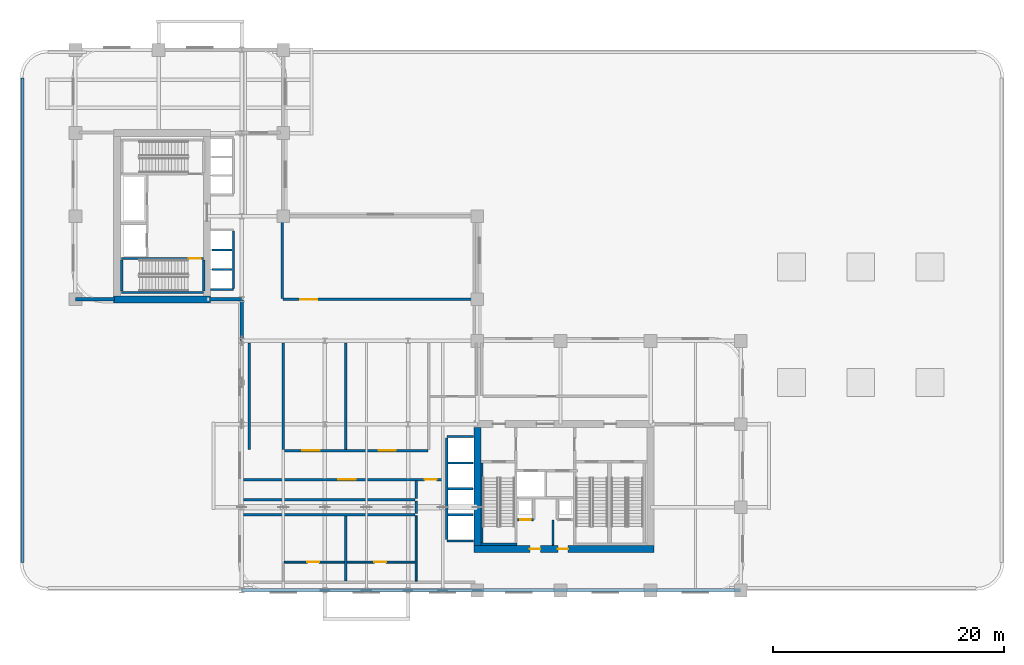
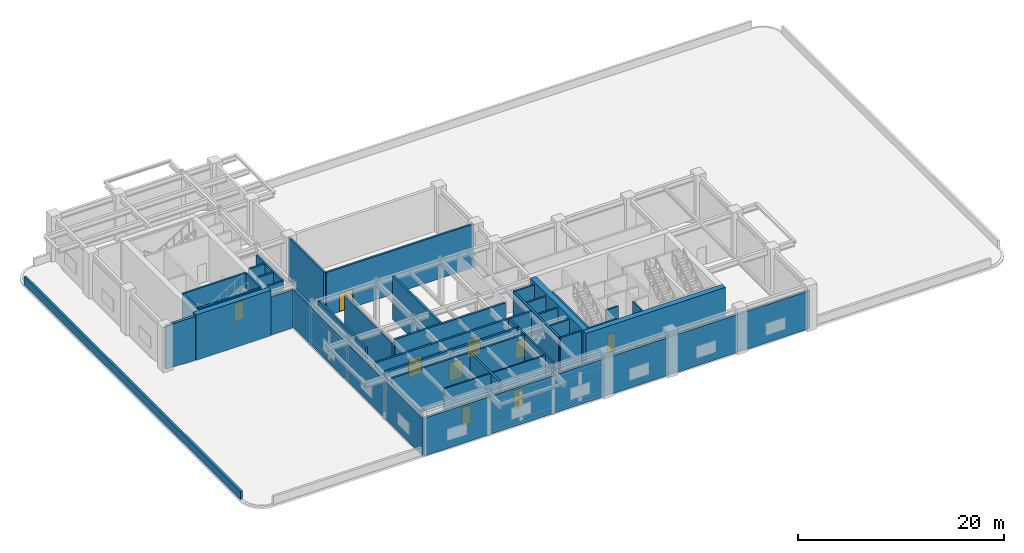
# One storey, part 6 of 14: 40 walls, 11 doors, 11 openings.
"""IFC4 building model written with IfcOpenShell, lengths in metres."""

import ifcopenshell
import ifcopenshell.guid

model = None  # the IFC model being written
_history = None  # IfcOwnerHistory: only IFC2X3 demands one
_inside = {}  # id of a spatial element -> (the spatial element, [elements in it])
_under = {}  # id of a project, library or spatial element -> (it, [spatial elements below it])
_declared = {}  # id of a project -> (the project, [libraries it declares])
_typed = {}  # id of a type object -> (the type object, [elements of that type])
_made_of = {}  # id of a material, layer set ... -> (it, [elements and type objects made of it])


def new_model(schema):
    """Start an empty IFC model of exactly this schema.

    Asked for "IFC4X3", IfcOpenShell would pick the latest addendum, in which some entities
    have other attributes; the version numbers below select the first issue.
    IFC2X3 requires an IfcOwnerHistory on every rooted entity: one is made here for all.
    """
    global model, _history
    if schema == "IFC4X3":
        model = ifcopenshell.file(schema_version=(4, 3, 0, 0))
    else:
        model = ifcopenshell.file(schema=schema)
    _inside.clear()
    _under.clear()
    _declared.clear()
    _typed.clear()
    _made_of.clear()
    _history = None
    if model.schema == "IFC2X3":
        org = make("IfcOrganization", Name="unknown")
        user = make(
            "IfcPersonAndOrganization",
            ThePerson=make("IfcPerson", FamilyName="unknown"),
            TheOrganization=org,
        )
        app = make(
            "IfcApplication",
            ApplicationDeveloper=org,
            Version="unknown",
            ApplicationFullName="unknown",
            ApplicationIdentifier="unknown",
        )
        _history = make(
            "IfcOwnerHistory",
            OwningUser=user,
            OwningApplication=app,
            ChangeAction="ADDED",
            CreationDate=0,
        )
    return model


def make(cls, **values):
    """One entity of the class cls with the attributes given. An attribute that is None is left unset."""
    return model.create_entity(
        cls, **{name: value for name, value in values.items() if value is not None}
    )


def rooted(cls, **values):
    """An entity with a GlobalId (a new one), such as an element, a storey or a relation."""
    return make(cls, GlobalId=ifcopenshell.guid.new(), OwnerHistory=_history, **values)


def si_unit(unit_type, name, prefix=None):
    """IfcSIUnit, for example si_unit("LENGTHUNIT", "METRE", prefix="MILLI")."""
    return make("IfcSIUnit", UnitType=unit_type, Prefix=prefix, Name=name)


def derived_unit(unit_type, elements):
    """IfcDerivedUnit: a product of units, each with its exponent."""
    return make(
        "IfcDerivedUnit",
        Elements=[
            make("IfcDerivedUnitElement", Unit=unit, Exponent=power)
            for unit, power in elements
        ],
        UnitType=unit_type,
    )


def assignment(units):
    """IfcUnitAssignment: the units of a project."""
    return None if units is None else make("IfcUnitAssignment", Units=units)


def point(xyz):
    """IfcCartesianPoint."""
    return None if xyz is None else make("IfcCartesianPoint", Coordinates=xyz)


def direction(xyz):
    """IfcDirection."""
    return None if xyz is None else make("IfcDirection", DirectionRatios=xyz)


def frame(location, z_axis=None, x_axis=None):
    """IfcAxis2Placement3D, a coordinate frame: its origin and axes. An axis left out is left unset."""
    return make(
        "IfcAxis2Placement3D",
        Location=point(location),
        Axis=direction(z_axis),
        RefDirection=direction(x_axis),
    )


def frame_2d(location, x_axis=None):
    """IfcAxis2Placement2D, a coordinate frame in the plane: its origin and x axis."""
    return make(
        "IfcAxis2Placement2D", Location=point(location), RefDirection=direction(x_axis)
    )


def origin():
    """The frame at (0, 0, 0) with its axes left unset."""
    return frame((0.0, 0.0, 0.0))


def place(relative_to, where):
    """IfcLocalPlacement: puts the frame where relative to a parent placement (None: the world)."""
    return make(
        "IfcLocalPlacement", PlacementRelTo=relative_to, RelativePlacement=where
    )


def context(
    kind, dimensions, precision=None, world=None, true_north=None, identifier=None
):
    """IfcGeometricRepresentationContext, for example the 3D "Model" context."""
    return make(
        "IfcGeometricRepresentationContext",
        ContextIdentifier=identifier,
        ContextType=kind,
        CoordinateSpaceDimension=dimensions,
        Precision=precision,
        WorldCoordinateSystem=world,
        TrueNorth=true_north,
    )


def subcontext(parent, identifier, kind, view, scale=None):
    """IfcGeometricRepresentationSubContext, for example "Body" below "Model"."""
    return make(
        "IfcGeometricRepresentationSubContext",
        ContextIdentifier=identifier,
        ContextType=kind,
        ParentContext=parent,
        TargetScale=scale,
        TargetView=view,
    )


def project(units=None, contexts=None):
    """IfcProject with its units and contexts."""
    return rooted(
        "IfcProject",
        Name="project",
        RepresentationContexts=contexts,
        UnitsInContext=assignment(units),
    )


def spatial(cls, under=None, at=None, **own):
    """A site, building, storey or space (cls), placed at a placement, below another one or the project."""
    s = rooted(cls, ObjectPlacement=at, **own)
    if under is not None:
        _under.setdefault(under.id(), (under, []))[1].append(s)
    return s


def profile(cls, at=None, kind="AREA", **sizes):
    """A parametric profile (cls). Its sizes go by their IFC names, for example OverallWidth=200.0."""
    return make(cls, ProfileType=kind, Position=at, **sizes)


def rectangle(**sizes):
    """IfcRectangleProfileDef."""
    return profile("IfcRectangleProfileDef", **sizes)


def extrude(swept, where, along, depth):
    """IfcExtrudedAreaSolid: the profile swept, set in the frame where, extruded along a direction by depth."""
    return make(
        "IfcExtrudedAreaSolid",
        SweptArea=swept,
        Position=where,
        ExtrudedDirection=direction(along),
        Depth=depth,
    )


def shape(context_of_items, identifier, shape_type, items):
    """IfcShapeRepresentation: the items that make up one representation, for example the "Body"."""
    return make(
        "IfcShapeRepresentation",
        ContextOfItems=context_of_items,
        RepresentationIdentifier=identifier,
        RepresentationType=shape_type,
        Items=items,
    )


def source(mapping_origin, context_of_items, identifier, shape_type, items):
    """IfcRepresentationMap: a shape defined once, which mapped items show again and again."""
    return make(
        "IfcRepresentationMap",
        MappingOrigin=mapping_origin,
        MappedRepresentation=shape(context_of_items, identifier, shape_type, items),
    )


def transform(
    local_origin,
    x_axis=None,
    y_axis=None,
    z_axis=None,
    scale=None,
    scale2=None,
    scale3=None,
    uniform=True,
):
    """IfcCartesianTransformationOperator3D, or its non-uniform kind. x_axis, y_axis, z_axis: its Axis1, 2, 3."""
    if uniform:
        return make(
            "IfcCartesianTransformationOperator3D",
            Axis1=direction(x_axis),
            Axis2=direction(y_axis),
            LocalOrigin=point(local_origin),
            Scale=scale,
            Axis3=direction(z_axis),
        )
    return make(
        "IfcCartesianTransformationOperator3DnonUniform",
        Axis1=direction(x_axis),
        Axis2=direction(y_axis),
        LocalOrigin=point(local_origin),
        Scale=scale,
        Axis3=direction(z_axis),
        Scale2=scale2,
        Scale3=scale3,
    )


def mapped(mapping_source, mapping_target):
    """IfcMappedItem: shows the shape of a source again, moved by a transform."""
    return make(
        "IfcMappedItem", MappingSource=mapping_source, MappingTarget=mapping_target
    )


def material(Name=None, Category=None):
    """IfcMaterial."""
    return make("IfcMaterial", Name=Name, Category=Category)


def layer(
    of_material, thickness, ventilated=None, Name=None, Category=None, Priority=None
):
    """IfcMaterialLayer: one layer of a wall or slab, of a material (None: an air gap)."""
    return make(
        "IfcMaterialLayer",
        Material=of_material,
        LayerThickness=thickness,
        IsVentilated=ventilated,
        Name=Name,
        Category=Category,
        Priority=Priority,
    )


def layer_set(layers, Name=None):
    """IfcMaterialLayerSet."""
    return make("IfcMaterialLayerSet", MaterialLayers=layers, LayerSetName=Name)


def made_of(thing, what):
    """Note that an element or type object is made of a material, layer set ...; save() writes the relation."""
    if what is not None:
        _made_of.setdefault(what.id(), (what, []))[1].append(thing)
    return thing


def type_object(cls, material=None, **own):
    """A type object (cls), such as IfcWallType, which elements share."""
    return made_of(rooted(cls, **own), material)


def type_shapes(of_type, sources):
    """Give a type object the sources (RepresentationMaps) that its elements show as mapped items."""
    of_type.RepresentationMaps = sources


def element(
    cls,
    number,
    at=None,
    inside=None,
    cuts=None,
    type_object=None,
    material=None,
    context=None,
    identifier="Body",
    shape_type=None,
    held_by="IfcProductDefinitionShape",
    body=None,
    shapes=None,
    **own,
):
    """One element of the class cls, such as IfcWall. Its Tag is "e" and its number.

    at: its placement. inside: the storey or other place that contains it. cuts: it is an
    opening in that element (IfcRelVoidsElement). A single representation is given by context,
    identifier, shape_type and body (its items); several are given by shapes. held_by: the class
    of the entity that holds the representations. save() writes the other relations.
    """
    e = rooted(cls, Tag="e%d" % number, ObjectPlacement=at, **own)
    if body is not None:
        shapes = [shape(context, identifier, shape_type, body)]
    if shapes is not None:
        e.Representation = make(held_by, Representations=shapes)
    if inside is not None:
        _inside.setdefault(inside.id(), (inside, []))[1].append(e)
    if cuts is not None:
        rooted(
            "IfcRelVoidsElement", RelatingBuildingElement=cuts, RelatedOpeningElement=e
        )
    if type_object is not None:
        _typed.setdefault(type_object.id(), (type_object, []))[1].append(e)
    return made_of(e, material)


def fill(opening, filler):
    """IfcRelFillsElement: the door or window that sits in an opening."""
    return rooted(
        "IfcRelFillsElement",
        RelatingOpeningElement=opening,
        RelatedBuildingElement=filler,
    )


def aggregate(whole, parts):
    """IfcRelAggregates: a whole, such as a stair, and the parts it consists of."""
    return rooted("IfcRelAggregates", RelatingObject=whole, RelatedObjects=parts)


def save(model, path):
    """Write the relations noted so far, then the file.

    IfcRelAggregates (storeys below a building ...), IfcRelContainedInSpatialStructure (elements
    in a storey), IfcRelDefinesByType, IfcRelAssociatesMaterial and IfcRelDeclares: one each for
    every whole, place, type object, material and project.
    """
    for whole, parts in _under.values():
        aggregate(whole, parts)
    for where, things in _inside.values():
        rooted(
            "IfcRelContainedInSpatialStructure",
            RelatedElements=things,
            RelatingStructure=where,
        )
    for kind, things in _typed.values():
        rooted("IfcRelDefinesByType", RelatedObjects=things, RelatingType=kind)
    for what, things in _made_of.values():
        rooted("IfcRelAssociatesMaterial", RelatedObjects=things, RelatingMaterial=what)
    for by, libraries in _declared.values():
        rooted("IfcRelDeclares", RelatingContext=by, RelatedDefinitions=libraries)
    model.write(path)


model = new_model("IFC4")

# Units and contexts
model_context = context("Model", 3, precision=1e-05, world=origin(), true_north=direction((0.0, 1.0)))
body_context = subcontext(model_context, "Body", "Model", "MODEL_VIEW")
ifc_project = project(units=[si_unit("LENGTHUNIT", "METRE"), si_unit("AREAUNIT", "SQUARE_METRE"), si_unit("VOLUMEUNIT", "CUBIC_METRE"), si_unit("PLANEANGLEUNIT", "RADIAN"), si_unit("MASSUNIT", "GRAM", prefix="KILO"), si_unit("THERMODYNAMICTEMPERATUREUNIT", "KELVIN"), si_unit("POWERUNIT", "WATT"), derived_unit("THERMALTRANSMITTANCEUNIT", [(si_unit("POWERUNIT", "WATT"), 1), (si_unit("AREAUNIT", "SQUARE_METRE"), -1), (si_unit("THERMODYNAMICTEMPERATUREUNIT", "KELVIN"), -1)])], contexts=[model_context])

# Site, building, storey
site_placement = place(None, origin())
site = spatial("IfcSite", under=ifc_project, at=site_placement, CompositionType="ELEMENT")
building_placement = place(site_placement, origin())
building = spatial("IfcBuilding", under=site, at=building_placement, Name="Zahravan Archway Hotel and Residences", CompositionType="ELEMENT")
storey_placement = place(building_placement, frame((0.0, 0.0, 27.0)))
storey = spatial("IfcBuildingStorey", under=building, at=storey_placement, Name="L05", CompositionType="ELEMENT", Elevation=27.0)

# Wall, openings, doors
ifc_material_1 = material(Name="Concrete C70/85", Category="concrete")
ifc_layer_1 = layer(ifc_material_1, 0.60009765625, Name="Concrete C70/85", Category="concrete")
ifc_layer_set_1 = layer_set([ifc_layer_1], Name="Concrete C70/85")
wall_type_1 = type_object("IfcWallType", Name="CW-CORE-600", PredefinedType="SHEAR", material=ifc_layer_set_1)
wall_1_placement = place(storey_placement, frame((34.5, 3.60009765625, 0.0), z_axis=(0.0, 0.0, 1.0), x_axis=(1.0, 0.0, 0.0)))
wall_1 = element("IfcWall", 1, at=wall_1_placement, inside=storey, type_object=wall_type_1, Name="L05 Core A Shear S Wall 600 mm", PredefinedType="SHEAR", context=body_context, shape_type="SweptSolid", body=[
    extrude(rectangle(XDim=15.60009765625, YDim=0.60009765625, at=frame_2d((7.800048828125, 0.0))), origin(), (0.0, 0.0, 1.0), 5.39990234375),
])
opening_1_placement = place(wall_1_placement, frame((4.85009765625, 0.0, 0.0)))
opening_1 = element("IfcOpeningElement", 2, at=opening_1_placement, cuts=wall_1, Name="Opening FD-R1", PredefinedType="OPENING", context=body_context, shape_type="SweptSolid", body=[
    extrude(rectangle(XDim=0.89990234375, YDim=2.10009765625, at=frame_2d((0.449951171875, 1.050048828125))), frame((0.0, 0.31005859375, 0.0), z_axis=(0.0, -1.0, 0.0), x_axis=(1.0, 0.0, 0.0)), (0.0, 0.0, 1.0), 0.6201171875),
])
opening_2_placement = place(wall_1_placement, frame((7.27001953125, 0.0, 0.0)))
opening_2 = element("IfcOpeningElement", 3, at=opening_2_placement, cuts=wall_1, Name="Opening FD-R1", PredefinedType="OPENING", context=body_context, shape_type="SweptSolid", body=[
    extrude(rectangle(XDim=0.89990234375, YDim=2.10009765625, at=frame_2d((0.449951171875, 1.050048828125))), frame((0.0, 0.31005859375, 0.0), z_axis=(0.0, -1.0, 0.0), x_axis=(1.0, 0.0, 0.0)), (0.0, 0.0, 1.0), 0.6201171875),
])
ifc_material_2 = material(Name="Fire-Rated Painted Steel", Category="steel")
door_type_1 = type_object("IfcDoorType", Name="FD-RISER-900", OperationType="NOTDEFINED", PredefinedType="DOOR", material=ifc_material_2)
shared_shape_1 = source(origin(), body_context, "Body", "SweptSolid", [
    extrude(rectangle(XDim=0.89990234375, YDim=2.10009765625, at=frame_2d((0.449951171875, 1.050048828125))), frame((0.0, 0.02490234375, 0.0), z_axis=(0.0, -1.0, 0.0), x_axis=(1.0, 0.0, 0.0)), (0.0, 0.0, 1.0), 0.050048828125),
])
type_shapes(door_type_1, [shared_shape_1])
door_1_placement = place(opening_1_placement, origin())
door_1 = element("IfcDoor", 4, at=door_1_placement, inside=storey, type_object=door_type_1, Name="L05 Service Pantry Door", OperationType="SINGLE_SWING_RIGHT", OverallHeight=2.10009765625, OverallWidth=0.89990234375, PredefinedType="DOOR", context=body_context, shape_type="MappedRepresentation", body=[
    mapped(shared_shape_1, transform((0.0, 0.0, 0.0), scale=1.0)),
])
fill(opening_1, door_1)
door_2_placement = place(opening_2_placement, origin())
door_2 = element("IfcDoor", 5, at=door_2_placement, inside=storey, type_object=door_type_1, Name="L05 Fibre ELV Riser Door", OperationType="SINGLE_SWING_LEFT", OverallHeight=2.10009765625, OverallWidth=0.89990234375, PredefinedType="DOOR", context=body_context, shape_type="MappedRepresentation", body=[
    mapped(shared_shape_1, transform((0.0, 0.0, 0.0), scale=1.0)),
])
fill(opening_2, door_2)

# Walls
wall_2_placement = place(storey_placement, frame((34.800048828125, 3.89990234375, 0.0), z_axis=(0.0, 0.0, 1.0), x_axis=(0.0, 1.0, 0.0)))
element("IfcWall", 6, at=wall_2_placement, inside=storey, type_object=wall_type_1, Name="L05 Core A Shear W Wall 600 mm", PredefinedType="SHEAR", context=body_context, shape_type="SweptSolid", body=[
    extrude(rectangle(XDim=10.2001953125, YDim=0.60009765625, at=frame_2d((5.10009765625, 0.0))), origin(), (0.0, 0.0, 1.0), 5.39990234375),
])
wall_3_placement = place(storey_placement, frame((3.300048828125, 25.199951171875, 0.0), z_axis=(0.0, 0.0, 1.0), x_axis=(1.0, 0.0, 0.0)))
element("IfcWall", 7, at=wall_3_placement, inside=storey, type_object=wall_type_1, Name="L05 Core B Shear S Wall 600 mm", PredefinedType="SHEAR", context=body_context, shape_type="SweptSolid", body=[
    extrude(rectangle(XDim=8.39990234375, YDim=0.60009765625, at=frame_2d((4.199951171875, 0.0))), origin(), (0.0, 0.0, 1.0), 5.39990234375),
])
ifc_material_3 = material(Name="Agra Buff Sandstone Coping Wall", Category="masonry")
ifc_layer_2 = layer(ifc_material_3, 0.25, Name="Agra Buff Sandstone Coping Wall", Category="masonry")
ifc_layer_set_2 = layer_set([ifc_layer_2], Name="Agra Buff Sandstone Coping Wall")
wall_type_2 = type_object("IfcWallType", Name="EW-PARA-250", PredefinedType="PARAPET", material=ifc_layer_set_2)
wall_4_placement = place(storey_placement, frame((-4.60009765625, 2.4130859375, 0.0), z_axis=(0.0, 0.0, 1.0), x_axis=(0.0, 1.0, 0.0)))
element("IfcWall", 8, at=wall_4_placement, inside=storey, type_object=wall_type_2, Name="L05 Roof Coping Parapet 1", PredefinedType="PARAPET", context=body_context, shape_type="SweptSolid", body=[
    extrude(rectangle(XDim=41.973876953125, YDim=0.25, at=frame_2d((20.98681640625, 0.0))), origin(), (0.0, 0.0, 1.0), 0.949951171875),
])
ifc_material_4 = material(Name="Acoustic Louvred Sandstone Backup Wall", Category="masonry")
ifc_layer_3 = layer(ifc_material_4, 0.300048828125, Name="Acoustic Louvred Sandstone Backup Wall", Category="masonry")
ifc_layer_set_3 = layer_set([ifc_layer_3], Name="Acoustic Louvred Sandstone Backup Wall")
wall_type_3 = type_object("IfcWallType", Name="EW-REF-300", PredefinedType="SOLIDWALL", material=ifc_layer_set_3)
wall_5_placement = place(storey_placement, frame((14.39990234375, 0.0, 0.0), z_axis=(0.0, 0.0, 1.0), x_axis=(1.0, 0.0, 0.0)))
element("IfcWall", 9, at=wall_5_placement, inside=storey, type_object=wall_type_3, Name="L05 Exterior Sandstone Wall WA-S", PredefinedType="SOLIDWALL", context=body_context, shape_type="SweptSolid", body=[
    extrude(rectangle(XDim=43.2001953125, YDim=0.300048828125, at=frame_2d((21.60009765625, 0.0))), origin(), (0.0, 0.0, 1.0), 4.485107421875),
])
wall_6_placement = place(storey_placement, frame((14.39990234375, 0.050048828125, 0.0), z_axis=(0.0, 0.0, 1.0), x_axis=(0.0, 1.0, 0.0)))
element("IfcWall", 10, at=wall_6_placement, inside=storey, type_object=wall_type_3, Name="L05 Exterior Sandstone Wall WA-WL", PredefinedType="SOLIDWALL", context=body_context, shape_type="SweptSolid", body=[
    extrude(rectangle(XDim=25.099853515625, YDim=0.300048828125, at=frame_2d((12.5498046875, 0.0))), origin(), (0.0, 0.0, 1.0), 4.485107421875),
])
wall_7_placement = place(storey_placement, frame((11.6201171875, 25.199951171875, 0.0), z_axis=(0.0, 0.0, 1.0), x_axis=(1.0, 0.0, 0.0)))
element("IfcWall", 11, at=wall_7_placement, inside=storey, type_object=wall_type_3, Name="L05 Exterior Sandstone Wall WB-SE", PredefinedType="SOLIDWALL", context=body_context, shape_type="SweptSolid", body=[
    extrude(rectangle(XDim=2.77978515625, YDim=0.300048828125, at=frame_2d((1.389892578125, 0.0))), origin(), (0.0, 0.0, 1.0), 4.485107421875),
])
wall_8_placement = place(storey_placement, frame((0.0, 25.199951171875, 0.0), z_axis=(0.0, 0.0, 1.0), x_axis=(1.0, 0.0, 0.0)))
element("IfcWall", 12, at=wall_8_placement, inside=storey, type_object=wall_type_3, Name="L05 Exterior Sandstone Wall WB-SW", PredefinedType="SOLIDWALL", context=body_context, shape_type="SweptSolid", body=[
    extrude(rectangle(XDim=3.3798828125, YDim=0.300048828125, at=frame_2d((1.68994140625, 0.0))), origin(), (0.0, 0.0, 1.0), 5.14990234375),
])
ifc_material_5 = material(Name="Fire-Rated Gypsum & Concrete Block", Category="concrete")
ifc_layer_4 = layer(ifc_material_5, 0.219970703125, Name="Fire-Rated Gypsum & Concrete Block", Category="concrete")
ifc_layer_set_4 = layer_set([ifc_layer_4], Name="Fire-Rated Gypsum & Concrete Block")
wall_type_4 = type_object("IfcWallType", Name="PW-COMP-220", PredefinedType="PARTITIONING", material=ifc_layer_set_4)
for number, where, z_axis, x_axis, name in (
    (13, (14.55810546875, 6.550048828125, 0.0), (0.0, 0.0, 1.0), (1.0, 0.0, 0.0), "L05 Partition L05-ROTS"),
    (14, (14.55810546875, 7.85009765625, 0.0), (0.0, 0.0, 1.0), (1.0, 0.0, 0.0), "L05 Partition L05-ROTN"),
):
    element("IfcWall", number, at=place(storey_placement, frame(where, z_axis=z_axis, x_axis=x_axis)), inside=storey, type_object=wall_type_4, Name=name, PredefinedType="PARTITIONING", context=body_context, shape_type="SweptSolid", body=[
        extrude(rectangle(XDim=14.851806640625, YDim=0.219970703125, at=frame_2d((7.42578125, 0.0))), origin(), (0.0, 0.0, 1.0), 5.14990234375),
    ])
wall_9_placement = place(storey_placement, frame((29.5, 6.639892578125, 0.0), z_axis=(0.0, 0.0, 1.0), x_axis=(0.0, 1.0, 0.0)))
element("IfcWall", 15, at=wall_9_placement, inside=storey, type_object=wall_type_4, Name="L05 Partition L05-ROTE", PredefinedType="PARTITIONING", context=body_context, shape_type="SweptSolid", body=[
    extrude(rectangle(XDim=1.1201171875, YDim=0.219970703125, at=frame_2d((0.56005859375, 0.0))), origin(), (0.0, 0.0, 1.0), 5.14990234375),
])
wall_10_placement = place(storey_placement, frame((15.050048828125, 12.18994140625, 0.0), z_axis=(0.0, 0.0, 1.0), x_axis=(0.0, 1.0, 0.0)))
element("IfcWall", 16, at=wall_10_placement, inside=storey, type_object=wall_type_4, Name="L05 Partition L05-RBTW", PredefinedType="PARTITIONING", context=body_context, shape_type="SweptSolid", body=[
    extrude(rectangle(XDim=9.219970703125, YDim=0.219970703125, at=frame_2d((4.60986328125, 0.0))), origin(), (0.0, 0.0, 1.0), 5.14990234375),
])

# Wall, openings, doors
wall_11_placement = place(storey_placement, frame((14.55810546875, 9.60009765625, 0.0), z_axis=(0.0, 0.0, 1.0), x_axis=(1.0, 0.0, 0.0)))
wall_11 = element("IfcWall", 17, at=wall_11_placement, inside=storey, type_object=wall_type_4, Name="L05 Partition L05-RCS", PredefinedType="PARTITIONING", context=body_context, shape_type="SweptSolid", body=[
    extrude(rectangle(XDim=17.371826171875, YDim=0.219970703125, at=frame_2d((8.68603515625, 0.0))), origin(), (0.0, 0.0, 1.0), 5.14990234375),
])
opening_3_placement = place(wall_11_placement, frame((15.6669921875, 0.0, 0.0)))
opening_3 = element("IfcOpeningElement", 18, at=opening_3_placement, cuts=wall_11, Name="Opening FD-L2", PredefinedType="OPENING", context=body_context, shape_type="SweptSolid", body=[
    extrude(rectangle(XDim=1.050048828125, YDim=2.14990234375, at=frame_2d((0.52490234375, 1.074951171875))), frame((0.0, 0.1201171875, 0.0), z_axis=(0.0, -1.0, 0.0), x_axis=(1.0, 0.0, 0.0)), (0.0, 0.0, 1.0), 0.239990234375),
])
opening_4_placement = place(wall_11_placement, frame((8.19189453125, 0.0, 0.0)))
opening_4 = element("IfcOpeningElement", 19, at=opening_4_placement, cuts=wall_11, Name="Opening FD-L1", PredefinedType="OPENING", context=body_context, shape_type="SweptSolid", body=[
    extrude(rectangle(XDim=1.5, YDim=2.199951171875, at=frame_2d((0.75, 1.10009765625))), frame((0.0, 0.1201171875, 0.0), z_axis=(0.0, -1.0, 0.0), x_axis=(1.0, 0.0, 0.0)), (0.0, 0.0, 1.0), 0.239990234375),
])
door_type_2 = type_object("IfcDoorType", Name="FD-LOBBY-1100", OperationType="NOTDEFINED", PredefinedType="DOOR", material=ifc_material_2)
shared_shape_2 = source(origin(), body_context, "Body", "SweptSolid", [
    extrude(rectangle(XDim=1.050048828125, YDim=2.14990234375, at=frame_2d((0.52490234375, 1.074951171875))), frame((0.0, 0.02490234375, 0.0), z_axis=(0.0, -1.0, 0.0), x_axis=(1.0, 0.0, 0.0)), (0.0, 0.0, 1.0), 0.050048828125),
])
type_shapes(door_type_2, [shared_shape_2])
door_3_placement = place(opening_3_placement, origin())
door_3 = element("IfcDoor", 20, at=door_3_placement, inside=storey, type_object=door_type_2, Name="L05 South Riser Passage to Refuge Lobby Door", OperationType="SINGLE_SWING_LEFT", OverallHeight=2.14990234375, OverallWidth=1.050048828125, PredefinedType="DOOR", context=body_context, shape_type="MappedRepresentation", body=[
    mapped(shared_shape_2, transform((0.0, 0.0, 0.0), scale=1.0)),
])
fill(opening_3, door_3)
door_type_3 = type_object("IfcDoorType", Name="FD-LOBBY-1500", OperationType="DOUBLE_DOOR_SINGLE_SWING", PredefinedType="DOOR", material=ifc_material_2)
shared_shape_3 = source(origin(), body_context, "Body", "SweptSolid", [
    extrude(rectangle(XDim=1.5, YDim=2.199951171875, at=frame_2d((0.75, 1.10009765625))), frame((0.0, 0.02490234375, 0.0), z_axis=(0.0, -1.0, 0.0), x_axis=(1.0, 0.0, 0.0)), (0.0, 0.0, 1.0), 0.050048828125),
])
type_shapes(door_type_3, [shared_shape_3])
door_4_placement = place(opening_4_placement, origin())
door_4 = element("IfcDoor", 21, at=door_4_placement, inside=storey, type_object=door_type_3, Name="L05 AHU Mechanical Plant Door", OperationType="DOUBLE_DOOR_SINGLE_SWING", OverallHeight=2.199951171875, OverallWidth=1.5, PredefinedType="DOOR", context=body_context, shape_type="MappedRepresentation", body=[
    mapped(shared_shape_3, transform((0.0, 0.0, 0.0), scale=1.0)),
])
fill(opening_4, door_4)

wall_12_placement = place(storey_placement, frame((18.090087890625, 12.10009765625, 0.0), z_axis=(0.0, 0.0, 1.0), x_axis=(1.0, 0.0, 0.0)))
wall_12 = element("IfcWall", 22, at=wall_12_placement, inside=storey, type_object=wall_type_4, Name="L05 Partition L05-RCN", PredefinedType="PARTITIONING", context=body_context, shape_type="SweptSolid", body=[
    extrude(rectangle(XDim=12.419921875, YDim=0.219970703125, at=frame_2d((6.2099609375, 0.0))), origin(), (0.0, 0.0, 1.0), 5.14990234375),
])
opening_5_placement = place(wall_12_placement, frame((1.56005859375, 0.0, 0.0)))
opening_5 = element("IfcOpeningElement", 23, at=opening_5_placement, cuts=wall_12, Name="Opening FD-L1", PredefinedType="OPENING", context=body_context, shape_type="SweptSolid", body=[
    extrude(rectangle(XDim=1.5, YDim=2.199951171875, at=frame_2d((0.75, 1.10009765625))), frame((0.0, 0.1201171875, 0.0), z_axis=(0.0, -1.0, 0.0), x_axis=(1.0, 0.0, 0.0)), (0.0, 0.0, 1.0), 0.239990234375),
])
opening_6_placement = place(wall_12_placement, frame((8.159912109375, 0.0, 0.0)))
opening_6 = element("IfcOpeningElement", 24, at=opening_6_placement, cuts=wall_12, Name="Opening FD-L1", PredefinedType="OPENING", context=body_context, shape_type="SweptSolid", body=[
    extrude(rectangle(XDim=1.5, YDim=2.199951171875, at=frame_2d((0.75, 1.10009765625))), frame((0.0, 0.1201171875, 0.0), z_axis=(0.0, -1.0, 0.0), x_axis=(1.0, 0.0, 0.0)), (0.0, 0.0, 1.0), 0.239990234375),
])
door_5_placement = place(opening_5_placement, origin())
door_5 = element("IfcDoor", 25, at=door_5_placement, inside=storey, type_object=door_type_3, Name="L05 West Protected Refuge Door", OperationType="DOUBLE_DOOR_SINGLE_SWING", OverallHeight=2.199951171875, OverallWidth=1.5, PredefinedType="DOOR", context=body_context, shape_type="MappedRepresentation", body=[
    mapped(shared_shape_3, transform((0.0, 0.0, 0.0), scale=1.0)),
])
fill(opening_5, door_5)
door_6_placement = place(opening_6_placement, origin())
door_6 = element("IfcDoor", 26, at=door_6_placement, inside=storey, type_object=door_type_3, Name="L05 East Protected Refuge Door", OperationType="DOUBLE_DOOR_SINGLE_SWING", OverallHeight=2.199951171875, OverallWidth=1.5, PredefinedType="DOOR", context=body_context, shape_type="MappedRepresentation", body=[
    mapped(shared_shape_3, transform((0.0, 0.0, 0.0), scale=1.0)),
])
fill(opening_6, door_6)

# Walls
wall_13_placement = place(storey_placement, frame((23.39990234375, 0.81005859375, 0.0), z_axis=(0.0, 0.0, 1.0), x_axis=(0.0, 1.0, 0.0)))
element("IfcWall", 27, at=wall_13_placement, inside=storey, type_object=wall_type_4, Name="L05 Partition L05-RPSV", PredefinedType="PARTITIONING", context=body_context, shape_type="SweptSolid", body=[
    extrude(rectangle(XDim=5.64990234375, YDim=0.219970703125, at=frame_2d((2.824951171875, 0.0))), origin(), (0.0, 0.0, 1.0), 5.14990234375),
])
wall_14_placement = place(storey_placement, frame((29.5, 7.93994140625, 0.0), z_axis=(0.0, 0.0, 1.0), x_axis=(0.0, 1.0, 0.0)))
element("IfcWall", 28, at=wall_14_placement, inside=storey, type_object=wall_type_4, Name="L05 Partition L05-RPNW", PredefinedType="PARTITIONING", context=body_context, shape_type="SweptSolid", body=[
    extrude(rectangle(XDim=1.570068359375, YDim=0.219970703125, at=frame_2d((0.78515625, 0.0))), origin(), (0.0, 0.0, 1.0), 5.14990234375),
])
wall_15_placement = place(storey_placement, frame((18.0, 12.18994140625, 0.0), z_axis=(0.0, 0.0, 1.0), x_axis=(0.0, 1.0, 0.0)))
element("IfcWall", 29, at=wall_15_placement, inside=storey, type_object=wall_type_4, Name="L05 Partition L05-RWW", PredefinedType="PARTITIONING", context=body_context, shape_type="SweptSolid", body=[
    extrude(rectangle(XDim=9.219970703125, YDim=0.219970703125, at=frame_2d((4.60986328125, 0.0))), origin(), (0.0, 0.0, 1.0), 4.68505859375),
])
wall_16_placement = place(storey_placement, frame((23.39990234375, 12.18994140625, 0.0), z_axis=(0.0, 0.0, 1.0), x_axis=(0.0, 1.0, 0.0)))
element("IfcWall", 30, at=wall_16_placement, inside=storey, type_object=wall_type_4, Name="L05 Partition L05-RWM", PredefinedType="PARTITIONING", context=body_context, shape_type="SweptSolid", body=[
    extrude(rectangle(XDim=9.219970703125, YDim=0.219970703125, at=frame_2d((4.60986328125, 0.0))), origin(), (0.0, 0.0, 1.0), 5.14990234375),
])

# Wall, opening, door
wall_17_placement = place(storey_placement, frame((17.989990234375, 25.199951171875, 0.0), z_axis=(0.0, 0.0, 1.0), x_axis=(1.0, 0.0, 0.0)))
wall_17 = element("IfcWall", 31, at=wall_17_placement, inside=storey, type_object=wall_type_4, Name="L05 Partition L05-RWBS", PredefinedType="PARTITIONING", context=body_context, shape_type="SweptSolid", body=[
    extrude(rectangle(XDim=16.469970703125, YDim=0.219970703125, at=frame_2d((8.23486328125, 0.0))), origin(), (0.0, 0.0, 1.0), 5.14990234375),
])
opening_7_placement = place(wall_17_placement, frame((1.4599609375, 0.0, 0.0)))
opening_7 = element("IfcOpeningElement", 32, at=opening_7_placement, cuts=wall_17, Name="Opening FD-L1", PredefinedType="OPENING", context=body_context, shape_type="SweptSolid", body=[
    extrude(rectangle(XDim=1.5, YDim=2.199951171875, at=frame_2d((0.75, 1.10009765625))), frame((0.0, 0.1201171875, 0.0), z_axis=(0.0, -1.0, 0.0), x_axis=(1.0, 0.0, 0.0)), (0.0, 0.0, 1.0), 0.239990234375),
])
door_7_placement = place(opening_7_placement, origin())
door_7 = element("IfcDoor", 33, at=door_7_placement, inside=storey, type_object=door_type_3, Name="L05 North Protected Refuge Door", OperationType="DOUBLE_DOOR_SINGLE_SWING", OverallHeight=2.199951171875, OverallWidth=1.5, PredefinedType="DOOR", context=body_context, shape_type="MappedRepresentation", body=[
    mapped(shared_shape_3, transform((0.0, 0.0, 0.0), scale=1.0)),
])
fill(opening_7, door_7)

# Walls
wall_18_placement = place(storey_placement, frame((17.89990234375, 25.2900390625, 0.0), z_axis=(0.0, 0.0, 1.0), x_axis=(0.0, 1.0, 0.0)))
element("IfcWall", 34, at=wall_18_placement, inside=storey, type_object=wall_type_4, Name="L05 Partition L05-RWBW", PredefinedType="PARTITIONING", context=body_context, shape_type="SweptSolid", body=[
    extrude(rectangle(XDim=6.869873046875, YDim=0.219970703125, at=frame_2d((3.43505859375, 0.0))), origin(), (0.0, 0.0, 1.0), 5.14990234375),
])
ifc_layer_5 = layer(ifc_material_5, 0.159912109375, Name="Fire-Rated Gypsum & Concrete Block", Category="concrete")
ifc_layer_set_5 = layer_set([ifc_layer_5], Name="Fire-Rated Gypsum & Concrete Block")
wall_type_5 = type_object("IfcWallType", Name="PW-CORR-160", PredefinedType="PARTITIONING", material=ifc_layer_set_5)
wall_19_placement = place(storey_placement, frame((29.5, 0.81005859375, 0.0), z_axis=(0.0, 0.0, 1.0), x_axis=(0.0, 1.0, 0.0)))
element("IfcWall", 35, at=wall_19_placement, inside=storey, type_object=wall_type_5, Name="L05 Partition L05-RSR", PredefinedType="PARTITIONING", context=body_context, shape_type="SweptSolid", body=[
    extrude(rectangle(XDim=5.64990234375, YDim=0.159912109375, at=frame_2d((2.824951171875, 0.0))), origin(), (0.0, 0.0, 1.0), 5.14990234375),
])

# Wall, openings, doors
wall_20_placement = place(storey_placement, frame((18.090087890625, 2.449951171875, 0.0), z_axis=(0.0, 0.0, 1.0), x_axis=(1.0, 0.0, 0.0)))
wall_20 = element("IfcWall", 36, at=wall_20_placement, inside=storey, type_object=wall_type_5, Name="L05 Partition L05-RSPN", PredefinedType="PARTITIONING", context=body_context, shape_type="SweptSolid", body=[
    extrude(rectangle(XDim=11.31982421875, YDim=0.159912109375, at=frame_2d((5.659912109375, 0.0))), origin(), (0.0, 0.0, 1.0), 5.14990234375),
])
opening_8_placement = place(wall_20_placement, frame((1.985107421875, 0.0, 0.0)))
opening_8 = element("IfcOpeningElement", 37, at=opening_8_placement, cuts=wall_20, Name="Opening FD-L2", PredefinedType="OPENING", context=body_context, shape_type="SweptSolid", body=[
    extrude(rectangle(XDim=1.050048828125, YDim=2.14990234375, at=frame_2d((0.52490234375, 1.074951171875))), frame((0.0, 0.08984375, 0.0), z_axis=(0.0, -1.0, 0.0), x_axis=(1.0, 0.0, 0.0)), (0.0, 0.0, 1.0), 0.179931640625),
])
opening_9_placement = place(wall_20_placement, frame((7.784912109375, 0.0, 0.0)))
opening_9 = element("IfcOpeningElement", 38, at=opening_9_placement, cuts=wall_20, Name="Opening FD-L2", PredefinedType="OPENING", context=body_context, shape_type="SweptSolid", body=[
    extrude(rectangle(XDim=1.050048828125, YDim=2.14990234375, at=frame_2d((0.52490234375, 1.074951171875))), frame((0.0, 0.08984375, 0.0), z_axis=(0.0, -1.0, 0.0), x_axis=(1.0, 0.0, 0.0)), (0.0, 0.0, 1.0), 0.179931640625),
])
door_8_placement = place(opening_8_placement, origin())
door_8 = element("IfcDoor", 39, at=door_8_placement, inside=storey, type_object=door_type_2, Name="L05 Chiller & Pump Plant Door", OperationType="SINGLE_SWING_RIGHT", OverallHeight=2.14990234375, OverallWidth=1.050048828125, PredefinedType="DOOR", context=body_context, shape_type="MappedRepresentation", body=[
    mapped(shared_shape_2, transform((0.0, 0.0, 0.0), scale=1.0)),
])
fill(opening_8, door_8)
door_9_placement = place(opening_9_placement, origin())
door_9 = element("IfcDoor", 40, at=door_9_placement, inside=storey, type_object=door_type_2, Name="L05 Switchgear & MEP Plant Door", OperationType="SINGLE_SWING_LEFT", OverallHeight=2.14990234375, OverallWidth=1.050048828125, PredefinedType="DOOR", context=body_context, shape_type="MappedRepresentation", body=[
    mapped(shared_shape_2, transform((0.0, 0.0, 0.0), scale=1.0)),
])
fill(opening_9, door_9)

# Wall, opening, door
ifc_layer_6 = layer(ifc_material_5, 0.199951171875, Name="Fire-Rated Gypsum & Concrete Block", Category="concrete")
ifc_layer_set_6 = layer_set([ifc_layer_6], Name="Fire-Rated Gypsum & Concrete Block")
wall_type_6 = type_object("IfcWallType", Name="PW-SHAFT-200", PredefinedType="PARTITIONING", material=ifc_layer_set_6)
wall_21_placement = place(storey_placement, frame((38.2900390625, 6.1201171875, 0.0), z_axis=(0.0, 0.0, 1.0), x_axis=(1.0, 0.0, 0.0)))
wall_21 = element("IfcWall", 41, at=wall_21_placement, inside=storey, type_object=wall_type_6, Name="L05 Partition CA-SMKS", PredefinedType="PARTITIONING", context=body_context, shape_type="SweptSolid", body=[
    extrude(rectangle(XDim=1.3798828125, YDim=0.199951171875, at=frame_2d((0.68994140625, 0.0))), origin(), (0.0, 0.0, 1.0), 5.14990234375),
])
opening_10_placement = place(wall_21_placement, frame((0.239990234375, 0.0, 0.0)))
opening_10 = element("IfcOpeningElement", 42, at=opening_10_placement, cuts=wall_21, Name="Opening FD-R1", PredefinedType="OPENING", context=body_context, shape_type="SweptSolid", body=[
    extrude(rectangle(XDim=0.89990234375, YDim=2.10009765625, at=frame_2d((0.449951171875, 1.050048828125))), frame((0.0, 0.10986328125, 0.0), z_axis=(0.0, -1.0, 0.0), x_axis=(1.0, 0.0, 0.0)), (0.0, 0.0, 1.0), 0.219970703125),
])
door_10_placement = place(opening_10_placement, origin())
door_10 = element("IfcDoor", 43, at=door_10_placement, inside=storey, type_object=door_type_1, Name="L05 Smoke Riser Access Door", OperationType="SINGLE_SWING_RIGHT", OverallHeight=2.10009765625, OverallWidth=0.89990234375, PredefinedType="DOOR", context=body_context, shape_type="MappedRepresentation", body=[
    mapped(shared_shape_1, transform((0.0, 0.0, 0.0), scale=1.0)),
])
fill(opening_10, door_10)

# Walls
for number, where, z_axis, x_axis, name in (
    (44, (32.159912109375, 4.280029296875, 0.0), (0.0, 0.0, 1.0), (1.0, 0.0, 0.0), "L05 Partition B3-S"),
    (45, (32.159912109375, 13.320068359375, 0.0), (0.0, 0.0, 1.0), (1.0, 0.0, 0.0), "L05 Partition B3-N"),
):
    element("IfcWall", number, at=place(storey_placement, frame(where, z_axis=z_axis, x_axis=x_axis)), inside=storey, type_object=wall_type_6, Name=name, PredefinedType="PARTITIONING", context=body_context, shape_type="SweptSolid", body=[
        extrude(rectangle(XDim=2.31005859375, YDim=0.199951171875, at=frame_2d((1.155029296875, 0.0))), origin(), (0.0, 0.0, 1.0), 5.14990234375),
    ])
wall_22_placement = place(storey_placement, frame((32.14990234375, 4.389892578125, 0.0), z_axis=(0.0, 0.0, 1.0), x_axis=(0.0, 1.0, 0.0)))
element("IfcWall", 46, at=wall_22_placement, inside=storey, type_object=wall_type_6, Name="L05 Partition B3-W", PredefinedType="PARTITIONING", context=body_context, shape_type="SweptSolid", body=[
    extrude(rectangle(XDim=8.820068359375, YDim=0.199951171875, at=frame_2d((4.41015625, 0.0))), origin(), (0.0, 0.0, 1.0), 5.14990234375),
])
for number, where, z_axis, x_axis, name in (
    (47, (32.260009765625, 6.56005859375, 0.0), (0.0, 0.0, 1.0), (1.0, 0.0, 0.0), "L05 Partition B3-D"),
    (48, (32.260009765625, 8.800048828125, 0.0), (0.0, 0.0, 1.0), (1.0, 0.0, 0.0), "L05 Partition B3-D"),
    (49, (32.260009765625, 11.0400390625, 0.0), (0.0, 0.0, 1.0), (1.0, 0.0, 0.0), "L05 Partition B3-D"),
):
    element("IfcWall", number, at=place(storey_placement, frame(where, z_axis=z_axis, x_axis=x_axis)), inside=storey, type_object=wall_type_6, Name=name, PredefinedType="PARTITIONING", context=body_context, shape_type="SweptSolid", body=[
        extrude(rectangle(XDim=2.179931640625, YDim=0.199951171875, at=frame_2d((1.08984375, 0.0))), origin(), (0.0, 0.0, 1.0), 5.14990234375),
    ])
wall_23_placement = place(storey_placement, frame((11.7099609375, 26.050048828125, 0.0), z_axis=(0.0, 0.0, 1.0), x_axis=(1.0, 0.0, 0.0)))
element("IfcWall", 50, at=wall_23_placement, inside=storey, type_object=wall_type_6, Name="L05 Partition B1-S", PredefinedType="PARTITIONING", context=body_context, shape_type="SweptSolid", body=[
    extrude(rectangle(XDim=1.9599609375, YDim=0.199951171875, at=frame_2d((0.97998046875, 0.0))), origin(), (0.0, 0.0, 1.0), 5.14990234375),
])
wall_24_placement = place(storey_placement, frame((13.679931640625, 26.159912109375, 0.0), z_axis=(0.0, 0.0, 1.0), x_axis=(0.0, 1.0, 0.0)))
element("IfcWall", 51, at=wall_24_placement, inside=storey, type_object=wall_type_6, Name="L05 Partition B1-E", PredefinedType="PARTITIONING", context=body_context, shape_type="SweptSolid", body=[
    extrude(rectangle(XDim=4.940185546875, YDim=0.199951171875, at=frame_2d((2.47021484375, 0.0))), origin(), (0.0, 0.0, 1.0), 5.14990234375),
])
for number, where, z_axis, x_axis, name in (
    (52, (11.81005859375, 27.7900390625, 0.0), (0.0, 0.0, 1.0), (1.0, 0.0, 0.0), "L05 Partition B1-D"),
    (53, (11.81005859375, 29.469970703125, 0.0), (0.0, 0.0, 1.0), (1.0, 0.0, 0.0), "L05 Partition B1-D"),
):
    element("IfcWall", number, at=place(storey_placement, frame(where, z_axis=z_axis, x_axis=x_axis)), inside=storey, type_object=wall_type_6, Name=name, PredefinedType="PARTITIONING", context=body_context, shape_type="SweptSolid", body=[
        extrude(rectangle(XDim=1.760009765625, YDim=0.199951171875, at=frame_2d((0.8798828125, 0.0))), origin(), (0.0, 0.0, 1.0), 5.14990234375),
    ])
ifc_material_6 = material(Name="Moisture-Resistant Blockwork", Category="masonry")
ifc_layer_7 = layer(ifc_material_6, 0.139892578125, Name="Moisture-Resistant Blockwork", Category="masonry")
ifc_layer_set_7 = layer_set([ifc_layer_7], Name="Moisture-Resistant Blockwork")
wall_type_7 = type_object("IfcWallType", Name="PW-WET-140", PredefinedType="PARTITIONING", material=ifc_layer_set_7)
wall_25_placement = place(storey_placement, frame((41.35009765625, 3.919921875, 0.0), z_axis=(0.0, 0.0, 1.0), x_axis=(0.0, 1.0, 0.0)))
element("IfcWall", 54, at=wall_25_placement, inside=storey, type_object=wall_type_7, Name="L05 Partition CA-CV3", PredefinedType="PARTITIONING", context=body_context, shape_type="SweptSolid", body=[
    extrude(rectangle(XDim=2.16015625, YDim=0.139892578125, at=frame_2d((1.080078125, 0.0))), origin(), (0.0, 0.0, 1.0), 5.14990234375),
])
ifc_material_7 = material(Name="Concrete C50/60", Category="concrete")
ifc_layer_8 = layer(ifc_material_7, 0.199951171875, Name="Concrete C50/60", Category="concrete")
ifc_layer_set_8 = layer_set([ifc_layer_8], Name="Concrete C50/60")
wall_type_8 = type_object("IfcWallType", Name="SW-STAIR-200", PredefinedType="SHEAR", material=ifc_layer_set_8)
wall_26_placement = place(storey_placement, frame((35.10009765625, 4.0, 0.0), z_axis=(0.0, 0.0, 1.0), x_axis=(1.0, 0.0, 0.0)))
element("IfcWall", 55, at=wall_26_placement, inside=storey, type_object=wall_type_8, Name="L05 Stairwell RC Wall CA-SA1S", PredefinedType="SHEAR", context=body_context, shape_type="SweptSolid", body=[
    extrude(rectangle(XDim=3.139892578125, YDim=0.199951171875, at=frame_2d((1.56982421875, 0.0))), origin(), (0.0, 0.0, 1.0), 5.39990234375),
])
wall_27_placement = place(storey_placement, frame((35.199951171875, 4.10009765625, 0.0), z_axis=(0.0, 0.0, 1.0), x_axis=(0.0, 1.0, 0.0)))
element("IfcWall", 56, at=wall_27_placement, inside=storey, type_object=wall_type_8, Name="L05 Stairwell RC Wall CA-SA1W", PredefinedType="SHEAR", context=body_context, shape_type="SweptSolid", body=[
    extrude(rectangle(XDim=6.949951171875, YDim=0.199951171875, at=frame_2d((3.47509765625, 0.0))), origin(), (0.0, 0.0, 1.0), 5.39990234375),
])
wall_28_placement = place(storey_placement, frame((4.0, 25.800048828125, 0.0), z_axis=(0.0, 0.0, 1.0), x_axis=(1.0, 0.0, 0.0)))
element("IfcWall", 57, at=wall_28_placement, inside=storey, type_object=wall_type_8, Name="L05 Stairwell RC Wall CB-SB1S", PredefinedType="SHEAR", context=body_context, shape_type="SweptSolid", body=[
    extrude(rectangle(XDim=7.10009765625, YDim=0.199951171875, at=frame_2d((3.550048828125, 0.0))), origin(), (0.0, 0.0, 1.0), 5.39990234375),
])
for number, where, z_axis, x_axis, name in (
    (58, (4.0, 25.919921875, 0.0), (0.0, 0.0, 1.0), (0.0, 1.0, 0.0), "L05 Stairwell RC Wall CB-SB1W"),
    (59, (11.10009765625, 25.919921875, 0.0), (0.0, 0.0, 1.0), (0.0, 1.0, 0.0), "L05 Stairwell RC Wall CB-SB1E"),
):
    element("IfcWall", number, at=place(storey_placement, frame(where, z_axis=z_axis, x_axis=x_axis)), inside=storey, type_object=wall_type_8, Name=name, PredefinedType="SHEAR", context=body_context, shape_type="SweptSolid", body=[
        extrude(rectangle(XDim=2.7001953125, YDim=0.199951171875, at=frame_2d((1.35009765625, 0.0))), origin(), (0.0, 0.0, 1.0), 5.39990234375),
    ])

# Wall, opening, door
wall_29_placement = place(storey_placement, frame((4.0, 28.739990234375, 0.0), z_axis=(0.0, 0.0, 1.0), x_axis=(1.0, 0.0, 0.0)))
wall_29 = element("IfcWall", 60, at=wall_29_placement, inside=storey, type_object=wall_type_8, Name="L05 Stairwell RC Wall CB-SB1N", PredefinedType="SHEAR", context=body_context, shape_type="SweptSolid", body=[
    extrude(rectangle(XDim=7.10009765625, YDim=0.199951171875, at=frame_2d((3.550048828125, 0.0))), origin(), (0.0, 0.0, 1.0), 5.39990234375),
])
opening_11_placement = place(wall_29_placement, frame((5.81494140625, 0.0, 0.0)))
opening_11 = element("IfcOpeningElement", 61, at=opening_11_placement, cuts=wall_29, Name="Opening FD-S1", PredefinedType="OPENING", context=body_context, shape_type="SweptSolid", body=[
    extrude(rectangle(XDim=1.050048828125, YDim=2.199951171875, at=frame_2d((0.52490234375, 1.10009765625))), frame((0.0, 0.10986328125, 0.0), z_axis=(0.0, -1.0, 0.0), x_axis=(1.0, 0.0, 0.0)), (0.0, 0.0, 1.0), 0.219970703125),
])
door_type_4 = type_object("IfcDoorType", Name="FD-STAIR-1100", OperationType="NOTDEFINED", PredefinedType="DOOR", material=ifc_material_2)
shared_shape_4 = source(origin(), body_context, "Body", "SweptSolid", [
    extrude(rectangle(XDim=1.050048828125, YDim=2.199951171875, at=frame_2d((0.52490234375, 1.10009765625))), frame((0.0, 0.02490234375, 0.0), z_axis=(0.0, -1.0, 0.0), x_axis=(1.0, 0.0, 0.0)), (0.0, 0.0, 1.0), 0.050048828125),
])
type_shapes(door_type_4, [shared_shape_4])
door_11_placement = place(opening_11_placement, origin())
door_11 = element("IfcDoor", 62, at=door_11_placement, inside=storey, type_object=door_type_4, Name="L05 Stair ST-B1 Door", OperationType="SINGLE_SWING_RIGHT", OverallHeight=2.199951171875, OverallWidth=1.050048828125, PredefinedType="DOOR", context=body_context, shape_type="MappedRepresentation", body=[
    mapped(shared_shape_4, transform((0.0, 0.0, 0.0), scale=1.0)),
])
fill(opening_11, door_11)

save(model, "model.ifc")
